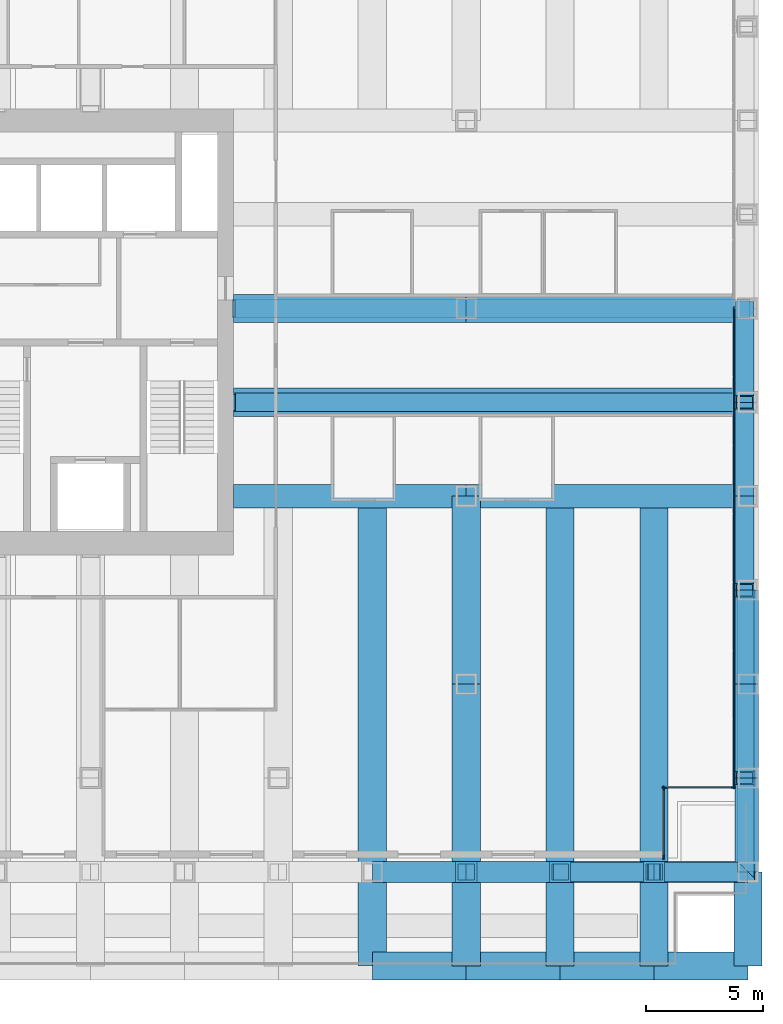
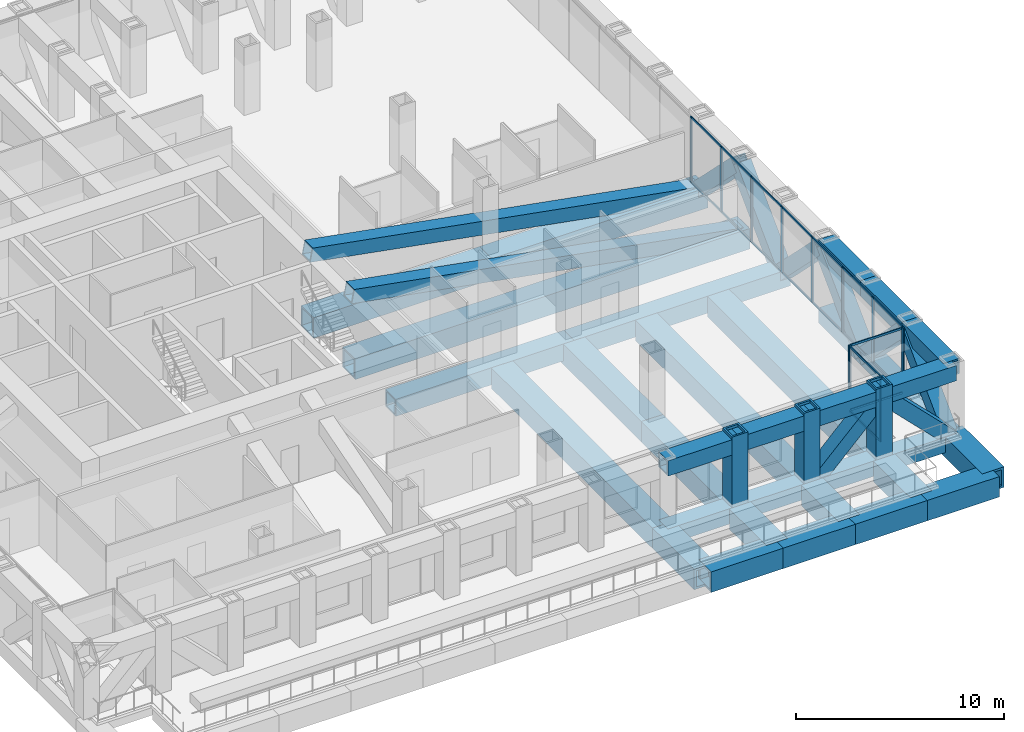
# One storey, part 5 of 18: 43 members, 30 beams, 3 elements without a shape of their own.
"""IFC4 building model written with IfcOpenShell, lengths in metres."""

from ifc_helpers import new_model, si_unit, direction, frame, origin, origin_2d, place, context, subcontext, project, spatial, rectangle, hollow_rectangle, extrude, material, material_profile, profile_set, type_object, element, aggregate, save


model = new_model("IFC4")

# Units and contexts
model_context = context("Model", 3, precision=1e-05, world=origin(), true_north=direction((0.0, 1.0)))
body_context = subcontext(model_context, "Body", "Model", "MODEL_VIEW")
ifc_project = project(units=[si_unit("LENGTHUNIT", "METRE"), si_unit("AREAUNIT", "SQUARE_METRE"), si_unit("VOLUMEUNIT", "CUBIC_METRE"), si_unit("PLANEANGLEUNIT", "RADIAN"), si_unit("MASSUNIT", "GRAM", prefix="KILO")], contexts=[model_context])

# Site, building, storey
site_placement = place(None, origin())
site = spatial("IfcSite", under=ifc_project, at=site_placement, CompositionType="ELEMENT")
building_placement = place(site_placement, origin())
building = spatial("IfcBuilding", under=site, at=building_placement, Name="Rimbunsela Tower", CompositionType="ELEMENT")
storey_placement = place(building_placement, frame((0.0, 0.0, 105.39990234375)))
storey = spatial("IfcBuildingStorey", under=building, at=storey_placement, Name="L25", CompositionType="ELEMENT", Elevation=105.39990234375)

# Beams
ifc_material_1 = material(Name="Steel BJ 55 (fy 410 MPa)", Category="steel")
ifc_material_profile_1 = material_profile(ifc_material_1, hollow_rectangle(XDim=1.0, YDim=1.0, WallThickness=0.10009765625, at=origin_2d()), Name="BOX 1000x1000x100")
ifc_profile_set_1 = profile_set([ifc_material_profile_1], Name="Steel BJ 55 (fy 410 MPa)")
beam_type_1 = type_object("IfcBeamType", Name="Beam BOX 1000x1000x100", PredefinedType="BEAM", material=ifc_profile_set_1)
beam_1_placement = place(storey_placement, frame((36.10009765625, 20.0, -0.64990234375), z_axis=(1.0, 0.0, 0.0), x_axis=(0.0, 1.0, 0.0)))
element("IfcBeam", 1, at=beam_1_placement, inside=storey, type_object=beam_type_1, Name="Beam B3 L25", PredefinedType="BEAM", context=body_context, shape_type="SweptSolid", body=[
    extrude(hollow_rectangle(XDim=1.0, YDim=1.0, WallThickness=0.10009765625, at=origin_2d()), origin(), (0.0, 0.0, 1.0), 9.89990234375),
])
beam_2_placement = place(storey_placement, frame((46.0, 20.0, -0.64990234375), z_axis=(1.0, 0.0, 0.0), x_axis=(0.0, 1.0, 0.0)))
element("IfcBeam", 2, at=beam_2_placement, inside=storey, type_object=beam_type_1, Name="Beam B3 L25", PredefinedType="BEAM", context=body_context, shape_type="SweptSolid", body=[
    extrude(hollow_rectangle(XDim=1.0, YDim=1.0, WallThickness=0.10009765625, at=origin_2d()), origin(), (0.0, 0.0, 1.0), 12.0),
])
ifc_material_2 = material(Name="Steel BJ 55 (fy 410 MPa)", Category="steel")
ifc_material_profile_2 = material_profile(ifc_material_2, hollow_rectangle(XDim=1.199951171875, YDim=1.199951171875, WallThickness=0.10009765625, at=origin_2d()), Name="BOX 1200x1200x100")
ifc_profile_set_2 = profile_set([ifc_material_profile_2], Name="Steel BJ 55 (fy 410 MPa)")
beam_type_2 = type_object("IfcBeamType", Name="Beam BOX 1200x1200x100", PredefinedType="BEAM", material=ifc_profile_set_2)
beam_3_placement = place(storey_placement, frame((36.10009765625, 24.0, -0.75), z_axis=(1.0, 0.0, 0.0), x_axis=(0.0, 1.0, 0.0)))
element("IfcBeam", 3, at=beam_3_placement, inside=storey, type_object=beam_type_2, Name="Beam B5 L25", PredefinedType="BEAM", context=body_context, shape_type="SweptSolid", body=[
    extrude(hollow_rectangle(XDim=1.199951171875, YDim=1.199951171875, WallThickness=0.10009765625, at=origin_2d()), origin(), (0.0, 0.0, 1.0), 21.89990234375),
])
beam_4_placement = place(storey_placement, frame((36.10009765625, 28.0, -0.75), z_axis=(1.0, 0.0, 0.0), x_axis=(0.0, 1.0, 0.0)))
element("IfcBeam", 4, at=beam_4_placement, inside=storey, type_object=beam_type_2, Name="Beam B5 L25", PredefinedType="BEAM", context=body_context, shape_type="SweptSolid", body=[
    extrude(hollow_rectangle(XDim=1.199951171875, YDim=1.199951171875, WallThickness=0.10009765625, at=origin_2d()), origin(), (0.0, 0.0, 1.0), 9.89990234375),
])
beam_5_placement = place(storey_placement, frame((42.0, 4.0, -0.75), z_axis=(0.0, 1.0, 0.0), x_axis=(-1.0, 0.0, 0.0)))
element("IfcBeam", 5, at=beam_5_placement, inside=storey, type_object=beam_type_2, Name="Beam B5 L25", PredefinedType="BEAM", context=body_context, shape_type="SweptSolid", body=[
    extrude(hollow_rectangle(XDim=1.199951171875, YDim=1.199951171875, WallThickness=0.10009765625, at=origin_2d()), origin(), (0.0, 0.0, 1.0), 15.5),
])
beam_6_placement = place(storey_placement, frame((46.0, 4.449951171875, -0.75), z_axis=(0.0, 1.0, 0.0), x_axis=(-1.0, 0.0, 0.0)))
element("IfcBeam", 6, at=beam_6_placement, inside=storey, type_object=beam_type_2, Name="Beam B5 L25", PredefinedType="BEAM", context=body_context, shape_type="SweptSolid", body=[
    extrude(hollow_rectangle(XDim=1.199951171875, YDim=1.199951171875, WallThickness=0.10009765625, at=origin_2d()), origin(), (0.0, 0.0, 1.0), 7.550048828125),
])
beam_7_placement = place(storey_placement, frame((46.0, 12.0, -0.75), z_axis=(0.0, 1.0, 0.0), x_axis=(-1.0, 0.0, 0.0)))
element("IfcBeam", 7, at=beam_7_placement, inside=storey, type_object=beam_type_2, Name="Beam B5 L25", PredefinedType="BEAM", context=body_context, shape_type="SweptSolid", body=[
    extrude(hollow_rectangle(XDim=1.199951171875, YDim=1.199951171875, WallThickness=0.10009765625, at=origin_2d()), origin(), (0.0, 0.0, 1.0), 8.0),
])
beam_8_placement = place(storey_placement, frame((46.0, 28.0, -0.75), z_axis=(1.0, 0.0, 0.0), x_axis=(0.0, 1.0, 0.0)))
element("IfcBeam", 8, at=beam_8_placement, inside=storey, type_object=beam_type_2, Name="Beam B5 L25", PredefinedType="BEAM", context=body_context, shape_type="SweptSolid", body=[
    extrude(hollow_rectangle(XDim=1.199951171875, YDim=1.199951171875, WallThickness=0.10009765625, at=origin_2d()), origin(), (0.0, 0.0, 1.0), 12.0),
])
beam_9_placement = place(storey_placement, frame((50.0, 4.449951171875, -0.75), z_axis=(0.0, 1.0, 0.0), x_axis=(-1.0, 0.0, 0.0)))
element("IfcBeam", 9, at=beam_9_placement, inside=storey, type_object=beam_type_2, Name="Beam B5 L25", PredefinedType="BEAM", context=body_context, shape_type="SweptSolid", body=[
    extrude(hollow_rectangle(XDim=1.199951171875, YDim=1.199951171875, WallThickness=0.10009765625, at=origin_2d()), origin(), (0.0, 0.0, 1.0), 15.050048828125),
])
ifc_material_3 = material(Name="Steel BJ 55 (fy 410 MPa)", Category="steel")
ifc_material_profile_3 = material_profile(ifc_material_3, hollow_rectangle(XDim=1.199951171875, YDim=1.199951171875, WallThickness=0.125, at=origin_2d()), Name="BOX 1200x1200x125")
ifc_profile_set_3 = profile_set([ifc_material_profile_3], Name="Steel BJ 55 (fy 410 MPa)")
beam_type_3 = type_object("IfcBeamType", Name="Beam BOX 1200x1200x125", PredefinedType="BEAM", material=ifc_profile_set_3)
for number, where, z_axis, x_axis, name in (
    (10, (42.0, 0.0, -0.75), (0.0, 1.0, 0.0), (-1.0, 0.0, 0.0), "Beam B4 L25"),
    (11, (42.0, 0.0, -0.75), (1.0, 0.0, 0.0), (0.0, 1.0, 0.0), "Beam B4 L25"),
):
    element("IfcBeam", number, at=place(storey_placement, frame(where, z_axis=z_axis, x_axis=x_axis)), inside=storey, type_object=beam_type_3, Name=name, PredefinedType="BEAM", context=body_context, shape_type="SweptSolid", body=[
        extrude(hollow_rectangle(XDim=1.199951171875, YDim=1.199951171875, WallThickness=0.125, at=origin_2d()), origin(), (0.0, 0.0, 1.0), 4.0),
    ])
beam_10_placement = place(storey_placement, frame((46.0, 0.0, -0.75), z_axis=(0.0, 1.0, 0.0), x_axis=(-1.0, 0.0, 0.0)))
element("IfcBeam", 12, at=beam_10_placement, inside=storey, type_object=beam_type_3, Name="Beam B4 L25", PredefinedType="BEAM", context=body_context, shape_type="SweptSolid", body=[
    extrude(hollow_rectangle(XDim=1.199951171875, YDim=1.199951171875, WallThickness=0.125, at=origin_2d()), origin(), (0.0, 0.0, 1.0), 3.550048828125),
])
beam_11_placement = place(storey_placement, frame((46.0, 0.0, -0.75), z_axis=(1.0, 0.0, 0.0), x_axis=(0.0, 1.0, 0.0)))
element("IfcBeam", 13, at=beam_11_placement, inside=storey, type_object=beam_type_3, Name="Beam B4 L25", PredefinedType="BEAM", context=body_context, shape_type="SweptSolid", body=[
    extrude(hollow_rectangle(XDim=1.199951171875, YDim=1.199951171875, WallThickness=0.125, at=origin_2d()), origin(), (0.0, 0.0, 1.0), 4.0),
])
beam_12_placement = place(storey_placement, frame((50.0, 0.0, -0.75), z_axis=(0.0, 1.0, 0.0), x_axis=(-1.0, 0.0, 0.0)))
element("IfcBeam", 14, at=beam_12_placement, inside=storey, type_object=beam_type_3, Name="Beam B4 L25", PredefinedType="BEAM", context=body_context, shape_type="SweptSolid", body=[
    extrude(hollow_rectangle(XDim=1.199951171875, YDim=1.199951171875, WallThickness=0.125, at=origin_2d()), origin(), (0.0, 0.0, 1.0), 3.550048828125),
])
beam_13_placement = place(storey_placement, frame((50.0, 0.0, -0.75), z_axis=(1.0, 0.0, 0.0), x_axis=(0.0, 1.0, 0.0)))
element("IfcBeam", 15, at=beam_13_placement, inside=storey, type_object=beam_type_3, Name="Beam B4 L25", PredefinedType="BEAM", context=body_context, shape_type="SweptSolid", body=[
    extrude(hollow_rectangle(XDim=1.199951171875, YDim=1.199951171875, WallThickness=0.125, at=origin_2d()), origin(), (0.0, 0.0, 1.0), 4.0),
])
beam_14_placement = place(storey_placement, frame((54.0, 0.0, -0.75), z_axis=(0.0, 1.0, 0.0), x_axis=(-1.0, 0.0, 0.0)))
element("IfcBeam", 16, at=beam_14_placement, inside=storey, type_object=beam_type_3, Name="Beam B4 L25", PredefinedType="BEAM", context=body_context, shape_type="SweptSolid", body=[
    extrude(hollow_rectangle(XDim=1.199951171875, YDim=1.199951171875, WallThickness=0.125, at=origin_2d()), origin(), (0.0, 0.0, 1.0), 3.550048828125),
])
beam_15_placement = place(storey_placement, frame((54.0, 0.0, -0.75), z_axis=(1.0, 0.0, 0.0), x_axis=(0.0, 1.0, 0.0)))
element("IfcBeam", 17, at=beam_15_placement, inside=storey, type_object=beam_type_3, Name="Beam B4 L25", PredefinedType="BEAM", context=body_context, shape_type="SweptSolid", body=[
    extrude(hollow_rectangle(XDim=1.199951171875, YDim=1.199951171875, WallThickness=0.125, at=origin_2d()), origin(), (0.0, 0.0, 1.0), 4.0),
])
beam_16_placement = place(storey_placement, frame((54.0, 4.449951171875, -0.75), z_axis=(0.0, 1.0, 0.0), x_axis=(-1.0, 0.0, 0.0)))
element("IfcBeam", 18, at=beam_16_placement, inside=storey, type_object=beam_type_3, Name="Beam B4 L25", PredefinedType="BEAM", context=body_context, shape_type="SweptSolid", body=[
    extrude(hollow_rectangle(XDim=1.199951171875, YDim=1.199951171875, WallThickness=0.125, at=origin_2d()), origin(), (0.0, 0.0, 1.0), 15.050048828125),
])
beam_17_placement = place(storey_placement, frame((58.0, 0.0, -0.75), z_axis=(0.0, 1.0, 0.0), x_axis=(-1.0, 0.0, 0.0)))
element("IfcBeam", 19, at=beam_17_placement, inside=storey, type_object=beam_type_3, Name="Beam B4 L25", PredefinedType="BEAM", context=body_context, shape_type="SweptSolid", body=[
    extrude(hollow_rectangle(XDim=1.199951171875, YDim=1.199951171875, WallThickness=0.125, at=origin_2d()), origin(), (0.0, 0.0, 1.0), 4.0),
])

# Curtain wall, members
ifc_material_4 = material(Name="Aluminium curtain wall", Category="aluminium")
curtain_wall_type_1 = type_object("IfcCurtainWallType", Name="Corner glazing", PredefinedType="USERDEFINED", material=ifc_material_4)
curtain_wall_1_placement = place(storey_placement, origin())
curtain_wall_1 = element("IfcCurtainWall", 20, at=curtain_wall_1_placement, inside=storey, type_object=curtain_wall_type_1, Name="Corner glazing L25", ObjectType="CORNER GLAZING", PredefinedType="USERDEFINED")
ifc_material_5 = material(Name="Aluminium mullion", Category="aluminium")
ifc_material_profile_4 = material_profile(ifc_material_5, rectangle(XDim=0.06005859375, YDim=0.159912109375, at=origin_2d()), Name="Mullion 60x160")
ifc_profile_set_4 = profile_set([ifc_material_profile_4], Name="Aluminium mullion")
member_type_1 = type_object("IfcMemberType", Name="Curtain wall mullion 60x160", PredefinedType="MULLION", material=ifc_profile_set_4)
member_1_placement = place(storey_placement, frame((54.39990234375, 4.6298828125, 0.0), z_axis=(0.0, 0.0, 1.0), x_axis=(-1.0, 0.0, 0.0)))
member_1 = element("IfcMember", 21, at=member_1_placement, type_object=member_type_1, Name="CW5 mullion 1", PredefinedType="MULLION", context=body_context, shape_type="SweptSolid", body=[
    extrude(rectangle(XDim=0.06005859375, YDim=0.159912109375, at=origin_2d()), origin(), (0.0, 0.0, 1.0), 3.85009765625),
])
member_2_placement = place(storey_placement, frame((54.39990234375, 7.570068359375, 0.0), z_axis=(0.0, 0.0, 1.0), x_axis=(-1.0, 0.0, 0.0)))
member_2 = element("IfcMember", 22, at=member_2_placement, type_object=member_type_1, Name="CW5 mullion 2", PredefinedType="MULLION", context=body_context, shape_type="SweptSolid", body=[
    extrude(rectangle(XDim=0.06005859375, YDim=0.159912109375, at=origin_2d()), origin(), (0.0, 0.0, 1.0), 3.85009765625),
])

curtain_wall_2_placement = place(storey_placement, origin())
curtain_wall_2 = element("IfcCurtainWall", 23, at=curtain_wall_2_placement, inside=storey, type_object=curtain_wall_type_1, Name="Corner glazing L25", ObjectType="CORNER GLAZING", PredefinedType="USERDEFINED")
member_3_placement = place(storey_placement, frame((54.429931640625, 7.60009765625, 0.0), z_axis=(0.0, 0.0, 1.0), x_axis=(0.0, 1.0, 0.0)))
member_3 = element("IfcMember", 24, at=member_3_placement, type_object=member_type_1, Name="CW5 mullion 1", PredefinedType="MULLION", context=body_context, shape_type="SweptSolid", body=[
    extrude(rectangle(XDim=0.06005859375, YDim=0.159912109375, at=origin_2d()), origin(), (0.0, 0.0, 1.0), 3.85009765625),
])
member_4_placement = place(storey_placement, frame((57.3701171875, 7.60009765625, 0.0), z_axis=(0.0, 0.0, 1.0), x_axis=(0.0, 1.0, 0.0)))
member_4 = element("IfcMember", 25, at=member_4_placement, type_object=member_type_1, Name="CW5 mullion 2", PredefinedType="MULLION", context=body_context, shape_type="SweptSolid", body=[
    extrude(rectangle(XDim=0.06005859375, YDim=0.159912109375, at=origin_2d()), origin(), (0.0, 0.0, 1.0), 3.85009765625),
])

ifc_material_6 = material(Name="Aluminium curtain wall", Category="aluminium")
curtain_wall_type_2 = type_object("IfcCurtainWallType", Name="Exoskeleton storey infill", PredefinedType="USERDEFINED", material=ifc_material_6)
curtain_wall_3_placement = place(storey_placement, origin())
curtain_wall_3 = element("IfcCurtainWall", 26, at=curtain_wall_3_placement, inside=storey, type_object=curtain_wall_type_2, Name="Exoskeleton storey infill L25", ObjectType="EXOSKELETON STOREY INFILL", PredefinedType="USERDEFINED")
member_5_placement = place(storey_placement, frame((57.39990234375, 7.6298828125, 0.0), z_axis=(0.0, 0.0, 1.0), x_axis=(-1.0, 0.0, 0.0)))
member_5 = element("IfcMember", 27, at=member_5_placement, type_object=member_type_1, Name="CW2 mullion 1", PredefinedType="MULLION", context=body_context, shape_type="SweptSolid", body=[
    extrude(rectangle(XDim=0.06005859375, YDim=0.159912109375, at=origin_2d()), origin(), (0.0, 0.0, 1.0), 3.85009765625),
])
member_6_placement = place(storey_placement, frame((57.39990234375, 10.514404296875, 0.0), z_axis=(0.0, 0.0, 1.0), x_axis=(-1.0, 0.0, 0.0)))
member_6 = element("IfcMember", 28, at=member_6_placement, type_object=member_type_1, Name="CW2 mullion 2", PredefinedType="MULLION", context=body_context, shape_type="SweptSolid", body=[
    extrude(rectangle(XDim=0.06005859375, YDim=0.159912109375, at=origin_2d()), origin(), (0.0, 0.0, 1.0), 3.85009765625),
])
member_7_placement = place(storey_placement, frame((57.39990234375, 13.428466796875, 0.0), z_axis=(0.0, 0.0, 1.0), x_axis=(-1.0, 0.0, 0.0)))
member_7 = element("IfcMember", 29, at=member_7_placement, type_object=member_type_1, Name="CW2 mullion 3", PredefinedType="MULLION", context=body_context, shape_type="SweptSolid", body=[
    extrude(rectangle(XDim=0.06005859375, YDim=0.159912109375, at=origin_2d()), origin(), (0.0, 0.0, 1.0), 3.85009765625),
])
member_8_placement = place(storey_placement, frame((57.39990234375, 16.3427734375, 0.0), z_axis=(0.0, 0.0, 1.0), x_axis=(-1.0, 0.0, 0.0)))
member_8 = element("IfcMember", 30, at=member_8_placement, type_object=member_type_1, Name="CW2 mullion 4", PredefinedType="MULLION", context=body_context, shape_type="SweptSolid", body=[
    extrude(rectangle(XDim=0.06005859375, YDim=0.159912109375, at=origin_2d()), origin(), (0.0, 0.0, 1.0), 3.85009765625),
])
member_9_placement = place(storey_placement, frame((57.39990234375, 19.257080078125, 0.0), z_axis=(0.0, 0.0, 1.0), x_axis=(-1.0, 0.0, 0.0)))
member_9 = element("IfcMember", 31, at=member_9_placement, type_object=member_type_1, Name="CW2 mullion 5", PredefinedType="MULLION", context=body_context, shape_type="SweptSolid", body=[
    extrude(rectangle(XDim=0.06005859375, YDim=0.159912109375, at=origin_2d()), origin(), (0.0, 0.0, 1.0), 3.85009765625),
])
member_10_placement = place(storey_placement, frame((57.39990234375, 22.17138671875, 0.0), z_axis=(0.0, 0.0, 1.0), x_axis=(-1.0, 0.0, 0.0)))
member_10 = element("IfcMember", 32, at=member_10_placement, type_object=member_type_1, Name="CW2 mullion 6", PredefinedType="MULLION", context=body_context, shape_type="SweptSolid", body=[
    extrude(rectangle(XDim=0.06005859375, YDim=0.159912109375, at=origin_2d()), origin(), (0.0, 0.0, 1.0), 3.85009765625),
])
member_11_placement = place(storey_placement, frame((57.39990234375, 25.085693359375, 0.0), z_axis=(0.0, 0.0, 1.0), x_axis=(-1.0, 0.0, 0.0)))
member_11 = element("IfcMember", 33, at=member_11_placement, type_object=member_type_1, Name="CW2 mullion 7", PredefinedType="MULLION", context=body_context, shape_type="SweptSolid", body=[
    extrude(rectangle(XDim=0.06005859375, YDim=0.159912109375, at=origin_2d()), origin(), (0.0, 0.0, 1.0), 3.85009765625),
])
member_12_placement = place(storey_placement, frame((57.39990234375, 28.0, 0.0), z_axis=(0.0, 0.0, 1.0), x_axis=(-1.0, 0.0, 0.0)))
member_12 = element("IfcMember", 34, at=member_12_placement, type_object=member_type_1, Name="CW2 mullion 8", PredefinedType="MULLION", context=body_context, shape_type="SweptSolid", body=[
    extrude(rectangle(XDim=0.06005859375, YDim=0.159912109375, at=origin_2d()), origin(), (0.0, 0.0, 1.0), 3.85009765625),
])

# Member
ifc_material_7 = material(Name="Aluminium transom", Category="aluminium")
ifc_material_profile_5 = material_profile(ifc_material_7, rectangle(XDim=0.06005859375, YDim=0.1201171875, at=origin_2d()), Name="Transom 60x120")
ifc_profile_set_5 = profile_set([ifc_material_profile_5], Name="Aluminium transom")
member_type_2 = type_object("IfcMemberType", Name="Curtain wall transom 60x120", PredefinedType="USERDEFINED", material=ifc_profile_set_5)
member_13_placement = place(storey_placement, frame((54.39990234375, 4.659912109375, 0.030029296875), z_axis=(0.0, 1.0, 0.0), x_axis=(-1.0, 0.0, 0.0)))
member_13 = element("IfcMember", 35, at=member_13_placement, type_object=member_type_2, Name="CW5 transom 1.1", ObjectType="TRANSOM", PredefinedType="USERDEFINED", context=body_context, shape_type="SweptSolid", body=[
    extrude(rectangle(XDim=0.06005859375, YDim=0.1201171875, at=origin_2d()), origin(), (0.0, 0.0, 1.0), 2.880126953125),
])

member_14_placement = place(storey_placement, frame((54.39990234375, 4.659912109375, 3.820068359375), z_axis=(0.0, 1.0, 0.0), x_axis=(-1.0, 0.0, 0.0)))
member_14 = element("IfcMember", 36, at=member_14_placement, type_object=member_type_2, Name="CW5 transom 1.2", ObjectType="TRANSOM", PredefinedType="USERDEFINED", context=body_context, shape_type="SweptSolid", body=[
    extrude(rectangle(XDim=0.06005859375, YDim=0.1201171875, at=origin_2d()), origin(), (0.0, 0.0, 1.0), 2.880126953125),
])

aggregate(curtain_wall_1, [member_1, member_2, member_13, member_14])

member_15_placement = place(storey_placement, frame((54.4599609375, 7.60009765625, 0.030029296875), z_axis=(1.0, 0.0, 0.0), x_axis=(0.0, 1.0, 0.0)))
member_15 = element("IfcMember", 37, at=member_15_placement, type_object=member_type_2, Name="CW5 transom 1.1", ObjectType="TRANSOM", PredefinedType="USERDEFINED", context=body_context, shape_type="SweptSolid", body=[
    extrude(rectangle(XDim=0.06005859375, YDim=0.1201171875, at=origin_2d()), origin(), (0.0, 0.0, 1.0), 2.880126953125),
])

member_16_placement = place(storey_placement, frame((54.4599609375, 7.60009765625, 3.820068359375), z_axis=(1.0, 0.0, 0.0), x_axis=(0.0, 1.0, 0.0)))
member_16 = element("IfcMember", 38, at=member_16_placement, type_object=member_type_2, Name="CW5 transom 1.2", ObjectType="TRANSOM", PredefinedType="USERDEFINED", context=body_context, shape_type="SweptSolid", body=[
    extrude(rectangle(XDim=0.06005859375, YDim=0.1201171875, at=origin_2d()), origin(), (0.0, 0.0, 1.0), 2.880126953125),
])

aggregate(curtain_wall_2, [member_3, member_4, member_15, member_16])

member_17_placement = place(storey_placement, frame((57.39990234375, 7.659912109375, 0.030029296875), z_axis=(0.0, 1.0, 0.0), x_axis=(-1.0, 0.0, 0.0)))
member_17 = element("IfcMember", 39, at=member_17_placement, type_object=member_type_2, Name="CW2 transom 1.1", ObjectType="TRANSOM", PredefinedType="USERDEFINED", context=body_context, shape_type="SweptSolid", body=[
    extrude(rectangle(XDim=0.06005859375, YDim=0.1201171875, at=origin_2d()), origin(), (0.0, 0.0, 1.0), 2.824462890625),
])

member_18_placement = place(storey_placement, frame((57.39990234375, 7.659912109375, 3.820068359375), z_axis=(0.0, 1.0, 0.0), x_axis=(-1.0, 0.0, 0.0)))
member_18 = element("IfcMember", 40, at=member_18_placement, type_object=member_type_2, Name="CW2 transom 1.2", ObjectType="TRANSOM", PredefinedType="USERDEFINED", context=body_context, shape_type="SweptSolid", body=[
    extrude(rectangle(XDim=0.06005859375, YDim=0.1201171875, at=origin_2d()), origin(), (0.0, 0.0, 1.0), 2.824462890625),
])

member_19_placement = place(storey_placement, frame((57.39990234375, 10.544189453125, 0.030029296875), z_axis=(0.0, 1.0, 0.0), x_axis=(-1.0, 0.0, 0.0)))
member_19 = element("IfcMember", 41, at=member_19_placement, type_object=member_type_2, Name="CW2 transom 2.1", ObjectType="TRANSOM", PredefinedType="USERDEFINED", context=body_context, shape_type="SweptSolid", body=[
    extrude(rectangle(XDim=0.06005859375, YDim=0.1201171875, at=origin_2d()), origin(), (0.0, 0.0, 1.0), 2.8544921875),
])

member_20_placement = place(storey_placement, frame((57.39990234375, 10.544189453125, 3.820068359375), z_axis=(0.0, 1.0, 0.0), x_axis=(-1.0, 0.0, 0.0)))
member_20 = element("IfcMember", 42, at=member_20_placement, type_object=member_type_2, Name="CW2 transom 2.2", ObjectType="TRANSOM", PredefinedType="USERDEFINED", context=body_context, shape_type="SweptSolid", body=[
    extrude(rectangle(XDim=0.06005859375, YDim=0.1201171875, at=origin_2d()), origin(), (0.0, 0.0, 1.0), 2.8544921875),
])

member_21_placement = place(storey_placement, frame((57.39990234375, 13.45849609375, 0.030029296875), z_axis=(0.0, 1.0, 0.0), x_axis=(-1.0, 0.0, 0.0)))
member_21 = element("IfcMember", 43, at=member_21_placement, type_object=member_type_2, Name="CW2 transom 3.1", ObjectType="TRANSOM", PredefinedType="USERDEFINED", context=body_context, shape_type="SweptSolid", body=[
    extrude(rectangle(XDim=0.06005859375, YDim=0.1201171875, at=origin_2d()), origin(), (0.0, 0.0, 1.0), 2.854248046875),
])

member_22_placement = place(storey_placement, frame((57.39990234375, 13.45849609375, 3.820068359375), z_axis=(0.0, 1.0, 0.0), x_axis=(-1.0, 0.0, 0.0)))
member_22 = element("IfcMember", 44, at=member_22_placement, type_object=member_type_2, Name="CW2 transom 3.2", ObjectType="TRANSOM", PredefinedType="USERDEFINED", context=body_context, shape_type="SweptSolid", body=[
    extrude(rectangle(XDim=0.06005859375, YDim=0.1201171875, at=origin_2d()), origin(), (0.0, 0.0, 1.0), 2.854248046875),
])

member_23_placement = place(storey_placement, frame((57.39990234375, 16.372802734375, 0.030029296875), z_axis=(0.0, 1.0, 0.0), x_axis=(-1.0, 0.0, 0.0)))
member_23 = element("IfcMember", 45, at=member_23_placement, type_object=member_type_2, Name="CW2 transom 4.1", ObjectType="TRANSOM", PredefinedType="USERDEFINED", context=body_context, shape_type="SweptSolid", body=[
    extrude(rectangle(XDim=0.06005859375, YDim=0.1201171875, at=origin_2d()), origin(), (0.0, 0.0, 1.0), 2.854248046875),
])

member_24_placement = place(storey_placement, frame((57.39990234375, 16.372802734375, 3.820068359375), z_axis=(0.0, 1.0, 0.0), x_axis=(-1.0, 0.0, 0.0)))
member_24 = element("IfcMember", 46, at=member_24_placement, type_object=member_type_2, Name="CW2 transom 4.2", ObjectType="TRANSOM", PredefinedType="USERDEFINED", context=body_context, shape_type="SweptSolid", body=[
    extrude(rectangle(XDim=0.06005859375, YDim=0.1201171875, at=origin_2d()), origin(), (0.0, 0.0, 1.0), 2.854248046875),
])

member_25_placement = place(storey_placement, frame((57.39990234375, 19.287109375, 0.030029296875), z_axis=(0.0, 1.0, 0.0), x_axis=(-1.0, 0.0, 0.0)))
member_25 = element("IfcMember", 47, at=member_25_placement, type_object=member_type_2, Name="CW2 transom 5.1", ObjectType="TRANSOM", PredefinedType="USERDEFINED", context=body_context, shape_type="SweptSolid", body=[
    extrude(rectangle(XDim=0.06005859375, YDim=0.1201171875, at=origin_2d()), origin(), (0.0, 0.0, 1.0), 2.854248046875),
])

member_26_placement = place(storey_placement, frame((57.39990234375, 19.287109375, 3.820068359375), z_axis=(0.0, 1.0, 0.0), x_axis=(-1.0, 0.0, 0.0)))
member_26 = element("IfcMember", 48, at=member_26_placement, type_object=member_type_2, Name="CW2 transom 5.2", ObjectType="TRANSOM", PredefinedType="USERDEFINED", context=body_context, shape_type="SweptSolid", body=[
    extrude(rectangle(XDim=0.06005859375, YDim=0.1201171875, at=origin_2d()), origin(), (0.0, 0.0, 1.0), 2.854248046875),
])

member_27_placement = place(storey_placement, frame((57.39990234375, 22.201416015625, 0.030029296875), z_axis=(0.0, 1.0, 0.0), x_axis=(-1.0, 0.0, 0.0)))
member_27 = element("IfcMember", 49, at=member_27_placement, type_object=member_type_2, Name="CW2 transom 6.1", ObjectType="TRANSOM", PredefinedType="USERDEFINED", context=body_context, shape_type="SweptSolid", body=[
    extrude(rectangle(XDim=0.06005859375, YDim=0.1201171875, at=origin_2d()), origin(), (0.0, 0.0, 1.0), 2.854248046875),
])

member_28_placement = place(storey_placement, frame((57.39990234375, 22.201416015625, 3.820068359375), z_axis=(0.0, 1.0, 0.0), x_axis=(-1.0, 0.0, 0.0)))
member_28 = element("IfcMember", 50, at=member_28_placement, type_object=member_type_2, Name="CW2 transom 6.2", ObjectType="TRANSOM", PredefinedType="USERDEFINED", context=body_context, shape_type="SweptSolid", body=[
    extrude(rectangle(XDim=0.06005859375, YDim=0.1201171875, at=origin_2d()), origin(), (0.0, 0.0, 1.0), 2.854248046875),
])

member_29_placement = place(storey_placement, frame((57.39990234375, 25.11572265625, 0.030029296875), z_axis=(0.0, 1.0, 0.0), x_axis=(-1.0, 0.0, 0.0)))
member_29 = element("IfcMember", 51, at=member_29_placement, type_object=member_type_2, Name="CW2 transom 7.1", ObjectType="TRANSOM", PredefinedType="USERDEFINED", context=body_context, shape_type="SweptSolid", body=[
    extrude(rectangle(XDim=0.06005859375, YDim=0.1201171875, at=origin_2d()), origin(), (0.0, 0.0, 1.0), 2.854248046875),
])

member_30_placement = place(storey_placement, frame((57.39990234375, 25.11572265625, 3.820068359375), z_axis=(0.0, 1.0, 0.0), x_axis=(-1.0, 0.0, 0.0)))
member_30 = element("IfcMember", 52, at=member_30_placement, type_object=member_type_2, Name="CW2 transom 7.2", ObjectType="TRANSOM", PredefinedType="USERDEFINED", context=body_context, shape_type="SweptSolid", body=[
    extrude(rectangle(XDim=0.06005859375, YDim=0.1201171875, at=origin_2d()), origin(), (0.0, 0.0, 1.0), 2.854248046875),
])

aggregate(curtain_wall_3, [member_5, member_6, member_7, member_8, member_9, member_10, member_11, member_12, member_17, member_18, member_19, member_20, member_21, member_22, member_23, member_24, member_25, member_26, member_27, member_28, member_29, member_30])

# Members
ifc_material_8 = material(Name="Steel BJ 55 (fy 410 MPa)", Category="steel")
ifc_material_profile_6 = material_profile(ifc_material_8, hollow_rectangle(XDim=0.800048828125, YDim=0.800048828125, WallThickness=0.06005859375, at=origin_2d()), Name="BOX 800x800x60")
ifc_profile_set_6 = profile_set([ifc_material_profile_6], Name="Steel BJ 55 (fy 410 MPa)")
member_type_3 = type_object("IfcMemberType", Name="Outrigger brace BOX 800x800x60", PredefinedType="BRACE", material=ifc_profile_set_6)
for number, where, z_axis, x_axis, name in (
    (53, (58.0, 28.0, -0.599853515625), (-0.983725710093, 0.0, 0.179676729997), (0.0, -1.0, 0.0), "Outrigger brace OB1 E L25"),
    (54, (58.0, 24.0, -0.599853515625), (-0.983725710093, 0.0, 0.179676729997), (0.0, -1.0, 0.0), "Outrigger brace OB1 E L25"),
):
    element("IfcMember", number, at=place(storey_placement, frame(where, z_axis=z_axis, x_axis=x_axis)), inside=storey, type_object=member_type_3, Name=name, PredefinedType="BRACE", context=body_context, shape_type="SweptSolid", body=[
        extrude(hollow_rectangle(XDim=0.800048828125, YDim=0.800048828125, WallThickness=0.06005859375, at=origin_2d()), origin(), (0.0, 0.0, 1.0), 22.26220703125),
    ])

# Beams
ifc_material_9 = material(Name="Steel BJ 55 (fy 410 MPa)", Category="steel")
ifc_material_profile_7 = material_profile(ifc_material_9, hollow_rectangle(XDim=0.89990234375, YDim=0.89990234375, WallThickness=0.10009765625, at=origin_2d()), Name="BOX 900x900x100")
ifc_profile_set_7 = profile_set([ifc_material_profile_7], Name="Steel BJ 55 (fy 410 MPa)")
beam_type_4 = type_object("IfcBeamType", Name="Truss chord BOX 900x900x100", PredefinedType="USERDEFINED", material=ifc_profile_set_7)
for number, where, z_axis, x_axis, name in (
    (55, (42.0, 4.0, 3.400146484375), (1.0, 0.0, 0.0), (0.0, 1.0, 0.0), "Truss top chord TC2 S face L25"),
    (56, (46.0, 4.0, 3.400146484375), (1.0, 0.0, 0.0), (0.0, 1.0, 0.0), "Truss top chord TC2 S face L25"),
    (57, (50.0, 4.0, 3.400146484375), (1.0, 0.0, 0.0), (0.0, 1.0, 0.0), "Truss top chord TC2 S face L25"),
    (58, (54.0, 4.0, 3.400146484375), (1.0, 0.0, 0.0), (0.0, 1.0, 0.0), "Truss top chord TC2 S face L25"),
    (59, (58.0, 4.0, 3.400146484375), (0.0, 1.0, 0.0), (-1.0, 0.0, 0.0), "Truss top chord TC2 E face L25"),
    (60, (58.0, 8.0, 3.400146484375), (0.0, 1.0, 0.0), (-1.0, 0.0, 0.0), "Truss top chord TC2 E face L25"),
    (61, (58.0, 12.0, 3.400146484375), (0.0, 1.0, 0.0), (-1.0, 0.0, 0.0), "Truss top chord TC2 E face L25"),
):
    element("IfcBeam", number, at=place(storey_placement, frame(where, z_axis=z_axis, x_axis=x_axis)), inside=storey, type_object=beam_type_4, Name=name, ObjectType="TRUSS CHORD", PredefinedType="USERDEFINED", context=body_context, shape_type="SweptSolid", body=[
        extrude(hollow_rectangle(XDim=0.89990234375, YDim=0.89990234375, WallThickness=0.10009765625, at=origin_2d()), origin(), (0.0, 0.0, 1.0), 4.0),
    ])
beam_18_placement = place(storey_placement, frame((42.0, 4.0, -0.599853515625), z_axis=(1.0, 0.0, 0.0), x_axis=(0.0, 1.0, 0.0)))
element("IfcBeam", 62, at=beam_18_placement, inside=storey, type_object=beam_type_4, Name="Truss bottom chord TC2 S face L25", ObjectType="TRUSS CHORD", PredefinedType="USERDEFINED", context=body_context, shape_type="SweptSolid", body=[
    extrude(hollow_rectangle(XDim=0.89990234375, YDim=0.89990234375, WallThickness=0.10009765625, at=origin_2d()), origin(), (0.0, 0.0, 1.0), 16.0),
])
for number, where, z_axis, x_axis, name in (
    (63, (58.0, 4.0, -0.599853515625), (0.0, 1.0, 0.0), (-1.0, 0.0, 0.0), "Truss bottom chord TC2 E face L25"),
    (64, (58.0, 8.0, -0.599853515625), (0.0, 1.0, 0.0), (-1.0, 0.0, 0.0), "Truss bottom chord TC2 E face L25"),
    (65, (58.0, 12.0, -0.599853515625), (0.0, 1.0, 0.0), (-1.0, 0.0, 0.0), "Truss bottom chord TC2 E face L25"),
):
    element("IfcBeam", number, at=place(storey_placement, frame(where, z_axis=z_axis, x_axis=x_axis)), inside=storey, type_object=beam_type_4, Name=name, ObjectType="TRUSS CHORD", PredefinedType="USERDEFINED", context=body_context, shape_type="SweptSolid", body=[
        extrude(hollow_rectangle(XDim=0.89990234375, YDim=0.89990234375, WallThickness=0.10009765625, at=origin_2d()), origin(), (0.0, 0.0, 1.0), 4.0),
    ])

# Members
ifc_material_10 = material(Name="Steel BJ 55 (fy 410 MPa)", Category="steel")
ifc_material_profile_8 = material_profile(ifc_material_10, hollow_rectangle(XDim=0.800048828125, YDim=0.800048828125, WallThickness=0.06005859375, at=origin_2d()), Name="BOX 800x800x60")
ifc_profile_set_8 = profile_set([ifc_material_profile_8], Name="Steel BJ 55 (fy 410 MPa)")
member_type_4 = type_object("IfcMemberType", Name="Truss diagonal BOX 800x800x60", PredefinedType="BRACE", material=ifc_profile_set_8)
for number, where, z_axis, x_axis, name in (
    (66, (50.0, 4.0, -0.599853515625), (0.707106781187, 0.0, 0.707106781187), (0.0, 1.0, 0.0), "Truss diagonal TD2 S face L25"),
    (67, (54.0, 4.0, 3.400146484375), (0.707106781187, 0.0, -0.707106781187), (0.0, 1.0, 0.0), "Truss diagonal TD2 S face L25"),
    (68, (57.85009765625, 4.0, -0.599853515625), (0.0, 0.707106781187, 0.707106781187), (-1.0, 0.0, 0.0), "Truss diagonal TD2 E face L25"),
    (69, (57.85009765625, 8.0, 3.400146484375), (0.0, 0.707106781187, -0.707106781187), (-1.0, 0.0, 0.0), "Truss diagonal TD2 E face L25"),
    (70, (57.85009765625, 12.0, -0.599853515625), (0.0, 0.707106781187, 0.707106781187), (-1.0, 0.0, 0.0), "Truss diagonal TD2 E face L25"),
    (71, (57.85009765625, 16.0, 3.400146484375), (0.0, 0.707106781187, -0.707106781187), (-1.0, 0.0, 0.0), "Truss diagonal TD2 E face L25"),
    (72, (57.85009765625, 20.0, -0.599853515625), (0.0, 0.707106781187, 0.707106781187), (-1.0, 0.0, 0.0), "Truss diagonal TD2 E face L25"),
    (73, (57.85009765625, 24.0, 3.400146484375), (0.0, 0.707106781187, -0.707106781187), (-1.0, 0.0, 0.0), "Truss diagonal TD2 E face L25"),
):
    element("IfcMember", number, at=place(storey_placement, frame(where, z_axis=z_axis, x_axis=x_axis)), inside=storey, type_object=member_type_4, Name=name, PredefinedType="BRACE", context=body_context, shape_type="SweptSolid", body=[
        extrude(hollow_rectangle(XDim=0.800048828125, YDim=0.800048828125, WallThickness=0.06005859375, at=origin_2d()), origin(), (0.0, 0.0, 1.0), 5.65673828125),
    ])
ifc_material_11 = material(Name="Steel BJ 55 (fy 410 MPa)", Category="steel")
ifc_material_profile_9 = material_profile(ifc_material_11, hollow_rectangle(XDim=0.89990234375, YDim=0.89990234375, WallThickness=0.10009765625, at=origin_2d()), Name="BOX 900x900x100")
ifc_profile_set_9 = profile_set([ifc_material_profile_9], Name="Steel BJ 55 (fy 410 MPa)")
member_type_5 = type_object("IfcMemberType", Name="Truss post BOX 900x900x100", PredefinedType="POST", material=ifc_profile_set_9)
for number, where, z_axis, x_axis, name in (
    (74, (46.0, 4.0, -0.599853515625), (0.0, 0.0, 1.0), (1.0, 0.0, 0.0), "Truss post TP2 14/C L25"),
    (75, (50.0, 4.0, -0.599853515625), (0.0, 0.0, 1.0), (1.0, 0.0, 0.0), "Truss post TP2 15/C L25"),
    (76, (54.0, 4.0, -0.599853515625), (0.0, 0.0, 1.0), (1.0, 0.0, 0.0), "Truss post TP2 16/C L25"),
):
    element("IfcMember", number, at=place(storey_placement, frame(where, z_axis=z_axis, x_axis=x_axis)), inside=storey, type_object=member_type_5, Name=name, PredefinedType="POST", context=body_context, shape_type="SweptSolid", body=[
        extrude(hollow_rectangle(XDim=0.89990234375, YDim=0.89990234375, WallThickness=0.10009765625, at=origin_2d()), origin(), (0.0, 0.0, 1.0), 4.599853515625),
    ])

save(model, "model.ifc")
